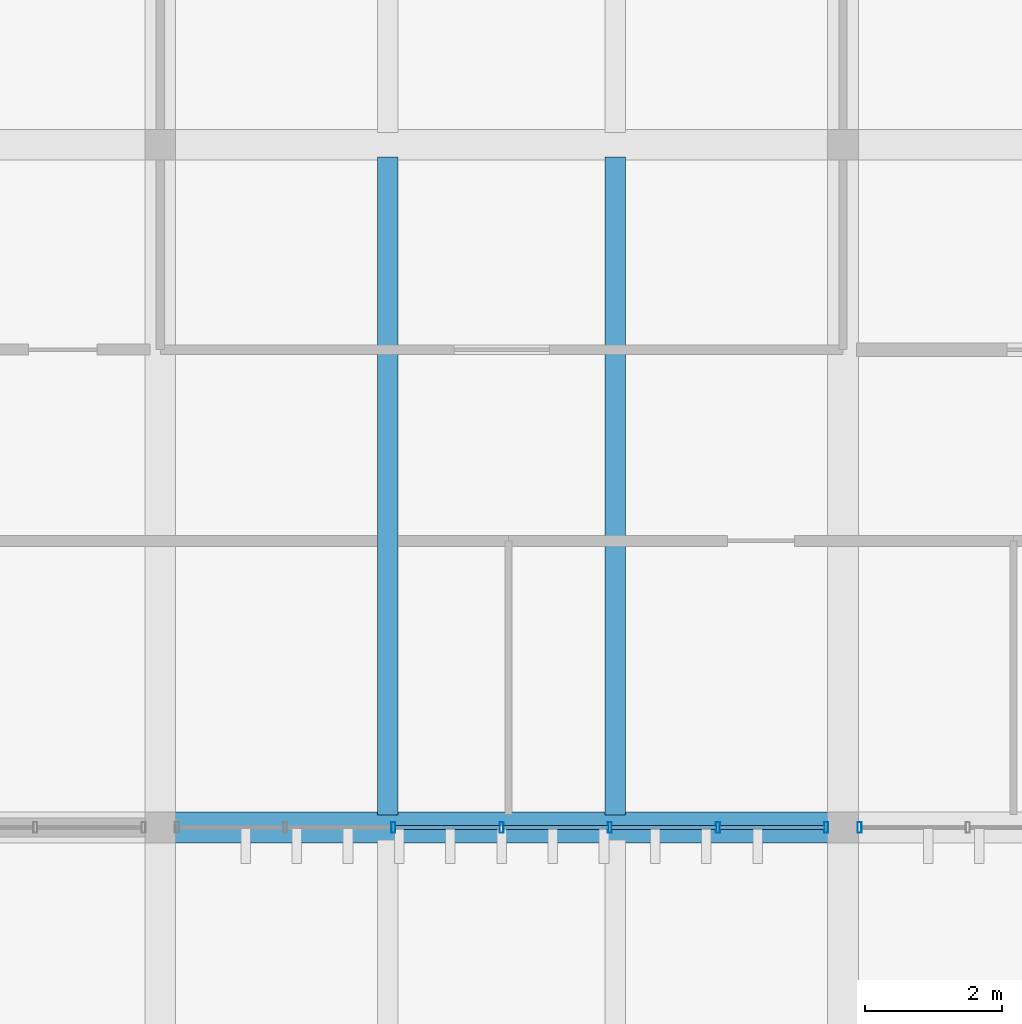
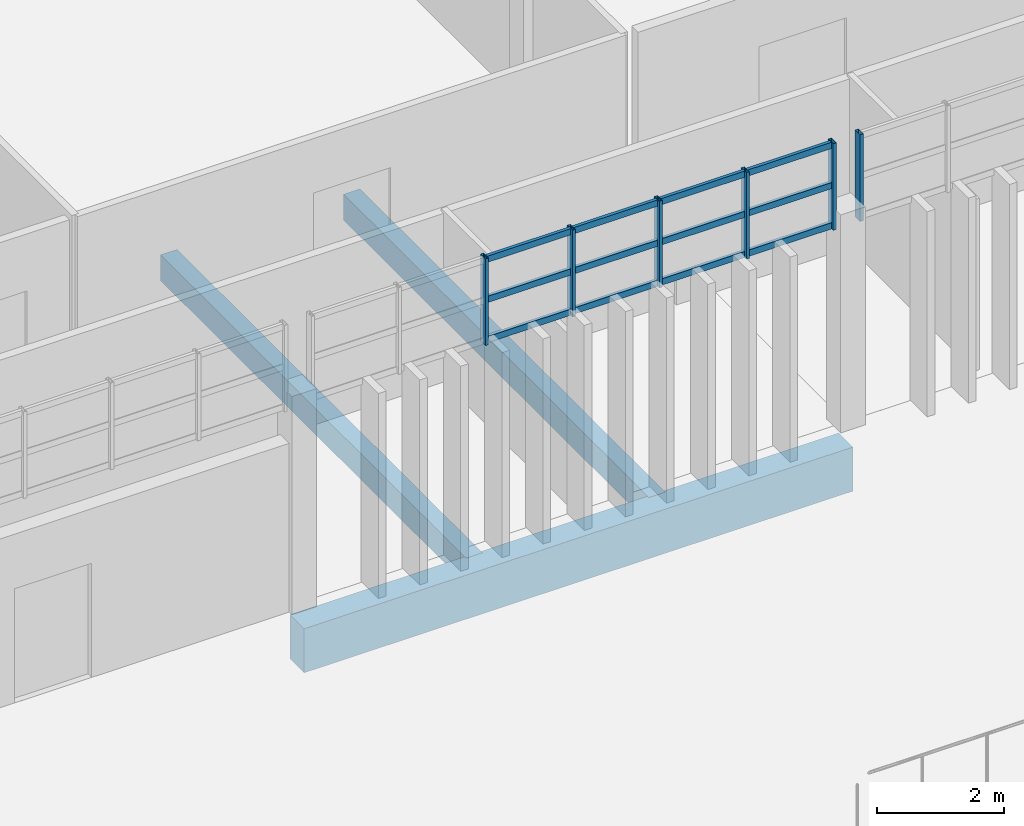
# One storey, part 19 of 36: 18 members, 3 beams, 2 elements without a shape of their own.
"""IFC4 building model written with IfcOpenShell, lengths in metres."""

import ifcopenshell
import ifcopenshell.guid

model = None  # the IFC model being written
_history = None  # IfcOwnerHistory: only IFC2X3 demands one
_inside = {}  # id of a spatial element -> (the spatial element, [elements in it])
_under = {}  # id of a project, library or spatial element -> (it, [spatial elements below it])
_declared = {}  # id of a project -> (the project, [libraries it declares])
_typed = {}  # id of a type object -> (the type object, [elements of that type])
_made_of = {}  # id of a material, layer set ... -> (it, [elements and type objects made of it])


def new_model(schema):
    """Start an empty IFC model of exactly this schema.

    Asked for "IFC4X3", IfcOpenShell would pick the latest addendum, in which some entities
    have other attributes; the version numbers below select the first issue.
    IFC2X3 requires an IfcOwnerHistory on every rooted entity: one is made here for all.
    """
    global model, _history
    if schema == "IFC4X3":
        model = ifcopenshell.file(schema_version=(4, 3, 0, 0))
    else:
        model = ifcopenshell.file(schema=schema)
    _inside.clear()
    _under.clear()
    _declared.clear()
    _typed.clear()
    _made_of.clear()
    _history = None
    if model.schema == "IFC2X3":
        org = make("IfcOrganization", Name="unknown")
        user = make(
            "IfcPersonAndOrganization",
            ThePerson=make("IfcPerson", FamilyName="unknown"),
            TheOrganization=org,
        )
        app = make(
            "IfcApplication",
            ApplicationDeveloper=org,
            Version="unknown",
            ApplicationFullName="unknown",
            ApplicationIdentifier="unknown",
        )
        _history = make(
            "IfcOwnerHistory",
            OwningUser=user,
            OwningApplication=app,
            ChangeAction="ADDED",
            CreationDate=0,
        )
    return model


def make(cls, **values):
    """One entity of the class cls with the attributes given. An attribute that is None is left unset."""
    return model.create_entity(
        cls, **{name: value for name, value in values.items() if value is not None}
    )


def rooted(cls, **values):
    """An entity with a GlobalId (a new one), such as an element, a storey or a relation."""
    return make(cls, GlobalId=ifcopenshell.guid.new(), OwnerHistory=_history, **values)


def si_unit(unit_type, name, prefix=None):
    """IfcSIUnit, for example si_unit("LENGTHUNIT", "METRE", prefix="MILLI")."""
    return make("IfcSIUnit", UnitType=unit_type, Prefix=prefix, Name=name)


def assignment(units):
    """IfcUnitAssignment: the units of a project."""
    return None if units is None else make("IfcUnitAssignment", Units=units)


def point(xyz):
    """IfcCartesianPoint."""
    return None if xyz is None else make("IfcCartesianPoint", Coordinates=xyz)


def direction(xyz):
    """IfcDirection."""
    return None if xyz is None else make("IfcDirection", DirectionRatios=xyz)


def frame(location, z_axis=None, x_axis=None):
    """IfcAxis2Placement3D, a coordinate frame: its origin and axes. An axis left out is left unset."""
    return make(
        "IfcAxis2Placement3D",
        Location=point(location),
        Axis=direction(z_axis),
        RefDirection=direction(x_axis),
    )


def frame_2d(location, x_axis=None):
    """IfcAxis2Placement2D, a coordinate frame in the plane: its origin and x axis."""
    return make(
        "IfcAxis2Placement2D", Location=point(location), RefDirection=direction(x_axis)
    )


def origin():
    """The frame at (0, 0, 0) with its axes left unset."""
    return frame((0.0, 0.0, 0.0))


def origin_2d():
    """The frame at (0, 0) in the plane with its x axis left unset."""
    return frame_2d((0.0, 0.0))


def place(relative_to, where):
    """IfcLocalPlacement: puts the frame where relative to a parent placement (None: the world)."""
    return make(
        "IfcLocalPlacement", PlacementRelTo=relative_to, RelativePlacement=where
    )


def context(
    kind, dimensions, precision=None, world=None, true_north=None, identifier=None
):
    """IfcGeometricRepresentationContext, for example the 3D "Model" context."""
    return make(
        "IfcGeometricRepresentationContext",
        ContextIdentifier=identifier,
        ContextType=kind,
        CoordinateSpaceDimension=dimensions,
        Precision=precision,
        WorldCoordinateSystem=world,
        TrueNorth=true_north,
    )


def subcontext(parent, identifier, kind, view, scale=None):
    """IfcGeometricRepresentationSubContext, for example "Body" below "Model"."""
    return make(
        "IfcGeometricRepresentationSubContext",
        ContextIdentifier=identifier,
        ContextType=kind,
        ParentContext=parent,
        TargetScale=scale,
        TargetView=view,
    )


def project(units=None, contexts=None):
    """IfcProject with its units and contexts."""
    return rooted(
        "IfcProject",
        Name="project",
        RepresentationContexts=contexts,
        UnitsInContext=assignment(units),
    )


def spatial(cls, under=None, at=None, **own):
    """A site, building, storey or space (cls), placed at a placement, below another one or the project."""
    s = rooted(cls, ObjectPlacement=at, **own)
    if under is not None:
        _under.setdefault(under.id(), (under, []))[1].append(s)
    return s


def profile(cls, at=None, kind="AREA", **sizes):
    """A parametric profile (cls). Its sizes go by their IFC names, for example OverallWidth=200.0."""
    return make(cls, ProfileType=kind, Position=at, **sizes)


def rectangle(**sizes):
    """IfcRectangleProfileDef."""
    return profile("IfcRectangleProfileDef", **sizes)


def hollow_rectangle(**sizes):
    """IfcRectangleHollowProfileDef."""
    return profile("IfcRectangleHollowProfileDef", **sizes)


def extrude(swept, where, along, depth):
    """IfcExtrudedAreaSolid: the profile swept, set in the frame where, extruded along a direction by depth."""
    return make(
        "IfcExtrudedAreaSolid",
        SweptArea=swept,
        Position=where,
        ExtrudedDirection=direction(along),
        Depth=depth,
    )


def shape(context_of_items, identifier, shape_type, items):
    """IfcShapeRepresentation: the items that make up one representation, for example the "Body"."""
    return make(
        "IfcShapeRepresentation",
        ContextOfItems=context_of_items,
        RepresentationIdentifier=identifier,
        RepresentationType=shape_type,
        Items=items,
    )


def material(Name=None, Category=None):
    """IfcMaterial."""
    return make("IfcMaterial", Name=Name, Category=Category)


def layer(
    of_material, thickness, ventilated=None, Name=None, Category=None, Priority=None
):
    """IfcMaterialLayer: one layer of a wall or slab, of a material (None: an air gap)."""
    return make(
        "IfcMaterialLayer",
        Material=of_material,
        LayerThickness=thickness,
        IsVentilated=ventilated,
        Name=Name,
        Category=Category,
        Priority=Priority,
    )


def layer_set(layers, Name=None):
    """IfcMaterialLayerSet."""
    return make("IfcMaterialLayerSet", MaterialLayers=layers, LayerSetName=Name)


def material_profile(
    of_material, cross_section, Name=None, Category=None, Priority=None
):
    """IfcMaterialProfile: a cross section and its material."""
    return make(
        "IfcMaterialProfile",
        Name=Name,
        Material=of_material,
        Profile=cross_section,
        Priority=Priority,
        Category=Category,
    )


def profile_set(profiles, Name=None, composite=None):
    """IfcMaterialProfileSet."""
    return make(
        "IfcMaterialProfileSet",
        Name=Name,
        MaterialProfiles=profiles,
        CompositeProfile=composite,
    )


def made_of(thing, what):
    """Note that an element or type object is made of a material, layer set ...; save() writes the relation."""
    if what is not None:
        _made_of.setdefault(what.id(), (what, []))[1].append(thing)
    return thing


def type_object(cls, material=None, **own):
    """A type object (cls), such as IfcWallType, which elements share."""
    return made_of(rooted(cls, **own), material)


def element(
    cls,
    number,
    at=None,
    inside=None,
    cuts=None,
    type_object=None,
    material=None,
    context=None,
    identifier="Body",
    shape_type=None,
    held_by="IfcProductDefinitionShape",
    body=None,
    shapes=None,
    **own,
):
    """One element of the class cls, such as IfcWall. Its Tag is "e" and its number.

    at: its placement. inside: the storey or other place that contains it. cuts: it is an
    opening in that element (IfcRelVoidsElement). A single representation is given by context,
    identifier, shape_type and body (its items); several are given by shapes. held_by: the class
    of the entity that holds the representations. save() writes the other relations.
    """
    e = rooted(cls, Tag="e%d" % number, ObjectPlacement=at, **own)
    if body is not None:
        shapes = [shape(context, identifier, shape_type, body)]
    if shapes is not None:
        e.Representation = make(held_by, Representations=shapes)
    if inside is not None:
        _inside.setdefault(inside.id(), (inside, []))[1].append(e)
    if cuts is not None:
        rooted(
            "IfcRelVoidsElement", RelatingBuildingElement=cuts, RelatedOpeningElement=e
        )
    if type_object is not None:
        _typed.setdefault(type_object.id(), (type_object, []))[1].append(e)
    return made_of(e, material)


def aggregate(whole, parts):
    """IfcRelAggregates: a whole, such as a stair, and the parts it consists of."""
    return rooted("IfcRelAggregates", RelatingObject=whole, RelatedObjects=parts)


def save(model, path):
    """Write the relations noted so far, then the file.

    IfcRelAggregates (storeys below a building ...), IfcRelContainedInSpatialStructure (elements
    in a storey), IfcRelDefinesByType, IfcRelAssociatesMaterial and IfcRelDeclares: one each for
    every whole, place, type object, material and project.
    """
    for whole, parts in _under.values():
        aggregate(whole, parts)
    for where, things in _inside.values():
        rooted(
            "IfcRelContainedInSpatialStructure",
            RelatedElements=things,
            RelatingStructure=where,
        )
    for kind, things in _typed.values():
        rooted("IfcRelDefinesByType", RelatedObjects=things, RelatingType=kind)
    for what, things in _made_of.values():
        rooted("IfcRelAssociatesMaterial", RelatedObjects=things, RelatingMaterial=what)
    for by, libraries in _declared.values():
        rooted("IfcRelDeclares", RelatingContext=by, RelatedDefinitions=libraries)
    model.write(path)


model = new_model("IFC4")

# Units and contexts
model_context = context("Model", 3, precision=1e-05, world=origin(), true_north=direction((0.0, 1.0)))
body_context = subcontext(model_context, "Body", "Model", "MODEL_VIEW")
ifc_project = project(units=[si_unit("LENGTHUNIT", "METRE"), si_unit("AREAUNIT", "SQUARE_METRE"), si_unit("VOLUMEUNIT", "CUBIC_METRE"), si_unit("PLANEANGLEUNIT", "RADIAN"), si_unit("MASSUNIT", "GRAM", prefix="KILO")], contexts=[model_context])

# Site, building, storey
site_placement = place(None, origin())
site = spatial("IfcSite", under=ifc_project, at=site_placement, CompositionType="ELEMENT")
building_placement = place(site_placement, origin())
building = spatial("IfcBuilding", under=site, at=building_placement, Name="Mersad Railyard Sports Hall", CompositionType="ELEMENT")
storey_placement = place(building_placement, frame((0.0, 0.0, 21.60009765625)))
storey = spatial("IfcBuildingStorey", under=building, at=storey_placement, Name="L05", CompositionType="ELEMENT", Elevation=21.60009765625)

# Curtain wall, members
ifc_material_1 = material(Name="Aluminium 6063-T6", Category="aluminium")
ifc_layer = layer(ifc_material_1, 0.159912109375)
ifc_layer_set = layer_set([ifc_layer], Name="Aluminium 6063-T6")
curtain_wall_type = type_object("IfcCurtainWallType", Name="ARC-CW-CW50", PredefinedType="USERDEFINED", material=ifc_layer_set)
curtain_wall_1_placement = place(storey_placement, origin())
curtain_wall_1 = element("IfcCurtainWall", 1, at=curtain_wall_1_placement, inside=storey, type_object=curtain_wall_type, Name="Curtain wall CW50-0134", ObjectType="CURTAIN WALL", PredefinedType="USERDEFINED")
ifc_material_profile_1 = material_profile(ifc_material_1, hollow_rectangle(XDim=0.06005859375, YDim=0.159912109375, WallThickness=0.00390625, at=origin_2d()), Name="AL MULLION 60x160x4")
ifc_profile_set_1 = profile_set([ifc_material_profile_1], Name="Aluminium 6063-T6")
member_type_1 = type_object("IfcMemberType", Name="ARC-CW-MUL01", PredefinedType="MULLION", material=ifc_profile_set_1)
member_1_placement = place(storey_placement, frame((110.7548828125, 95.0, 3.829833984375), z_axis=(0.0, 0.0, 1.0), x_axis=(1.0, 0.0, 0.0)))
member_1 = element("IfcMember", 2, at=member_1_placement, type_object=member_type_1, Name="CW50 Mullion 1", PredefinedType="MULLION", context=body_context, shape_type="SweptSolid", body=[
    extrude(hollow_rectangle(XDim=0.06005859375, YDim=0.159912109375, WallThickness=0.00390625, at=origin_2d()), origin(), (0.0, 0.0, 1.0), 1.670166015625),
])
member_2_placement = place(storey_placement, frame((109.169921875, 95.0, 3.829833984375), z_axis=(0.0, 0.0, 1.0), x_axis=(1.0, 0.0, 0.0)))
member_2 = element("IfcMember", 3, at=member_2_placement, type_object=member_type_1, Name="CW50 Mullion 2", PredefinedType="MULLION", context=body_context, shape_type="SweptSolid", body=[
    extrude(hollow_rectangle(XDim=0.06005859375, YDim=0.159912109375, WallThickness=0.00390625, at=origin_2d()), origin(), (0.0, 0.0, 1.0), 1.670166015625),
])
member_3_placement = place(storey_placement, frame((107.5849609375, 95.0, 3.829833984375), z_axis=(0.0, 0.0, 1.0), x_axis=(1.0, 0.0, 0.0)))
member_3 = element("IfcMember", 4, at=member_3_placement, type_object=member_type_1, Name="CW50 Mullion 3", PredefinedType="MULLION", context=body_context, shape_type="SweptSolid", body=[
    extrude(hollow_rectangle(XDim=0.06005859375, YDim=0.159912109375, WallThickness=0.00390625, at=origin_2d()), origin(), (0.0, 0.0, 1.0), 1.670166015625),
])
member_4_placement = place(storey_placement, frame((106.0, 95.0, 3.829833984375), z_axis=(0.0, 0.0, 1.0), x_axis=(1.0, 0.0, 0.0)))
member_4 = element("IfcMember", 5, at=member_4_placement, type_object=member_type_1, Name="CW50 Mullion 4", PredefinedType="MULLION", context=body_context, shape_type="SweptSolid", body=[
    extrude(hollow_rectangle(XDim=0.06005859375, YDim=0.159912109375, WallThickness=0.00390625, at=origin_2d()), origin(), (0.0, 0.0, 1.0), 1.670166015625),
])
member_5_placement = place(storey_placement, frame((104.4150390625, 95.0, 3.829833984375), z_axis=(0.0, 0.0, 1.0), x_axis=(1.0, 0.0, 0.0)))
member_5 = element("IfcMember", 6, at=member_5_placement, type_object=member_type_1, Name="CW50 Mullion 5", PredefinedType="MULLION", context=body_context, shape_type="SweptSolid", body=[
    extrude(hollow_rectangle(XDim=0.06005859375, YDim=0.159912109375, WallThickness=0.00390625, at=origin_2d()), origin(), (0.0, 0.0, 1.0), 1.670166015625),
])

# Curtain wall, member
curtain_wall_2_placement = place(storey_placement, origin())
curtain_wall_2 = element("IfcCurtainWall", 7, at=curtain_wall_2_placement, inside=storey, type_object=curtain_wall_type, Name="Curtain wall CW50-0136", ObjectType="CURTAIN WALL", PredefinedType="USERDEFINED")
member_6_placement = place(storey_placement, frame((111.2451171875, 95.0, 3.829833984375), z_axis=(0.0, 0.0, 1.0), x_axis=(1.0, 0.0, 0.0)))
member_6 = element("IfcMember", 8, at=member_6_placement, type_object=member_type_1, Name="CW50 Mullion 7", PredefinedType="MULLION", context=body_context, shape_type="SweptSolid", body=[
    extrude(hollow_rectangle(XDim=0.06005859375, YDim=0.159912109375, WallThickness=0.00390625, at=origin_2d()), origin(), (0.0, 0.0, 1.0), 1.670166015625),
])
aggregate(curtain_wall_2, [member_6])

# Member
ifc_material_profile_2 = material_profile(ifc_material_1, hollow_rectangle(XDim=0.06005859375, YDim=0.1201171875, WallThickness=0.00390625, at=origin_2d()), Name="AL TRANSOM 60x120x4")
ifc_profile_set_2 = profile_set([ifc_material_profile_2], Name="Aluminium 6063-T6")
member_type_2 = type_object("IfcMemberType", Name="ARC-CW-TRN01", PredefinedType="USERDEFINED", material=ifc_profile_set_2)
member_7_placement = place(storey_placement, frame((110.735107421875, 95.0, 3.889892578125), z_axis=(-1.0, 0.0, 0.0), x_axis=(0.0, -1.0, 0.0)))
member_7 = element("IfcMember", 9, at=member_7_placement, type_object=member_type_2, Name="CW50 Transom 1-1", ObjectType="TRANSOM", PredefinedType="USERDEFINED", context=body_context, shape_type="SweptSolid", body=[
    extrude(hollow_rectangle(XDim=0.06005859375, YDim=0.1201171875, WallThickness=0.00390625, at=origin_2d()), origin(), (0.0, 0.0, 1.0), 1.545166015625),
])

member_8_placement = place(storey_placement, frame((109.14990234375, 95.0, 3.889892578125), z_axis=(-1.0, 0.0, 0.0), x_axis=(0.0, -1.0, 0.0)))
member_8 = element("IfcMember", 10, at=member_8_placement, type_object=member_type_2, Name="CW50 Transom 1-2", ObjectType="TRANSOM", PredefinedType="USERDEFINED", context=body_context, shape_type="SweptSolid", body=[
    extrude(hollow_rectangle(XDim=0.06005859375, YDim=0.1201171875, WallThickness=0.00390625, at=origin_2d()), origin(), (0.0, 0.0, 1.0), 1.544921875),
])

member_9_placement = place(storey_placement, frame((107.56494140625, 95.0, 3.889892578125), z_axis=(-1.0, 0.0, 0.0), x_axis=(0.0, -1.0, 0.0)))
member_9 = element("IfcMember", 11, at=member_9_placement, type_object=member_type_2, Name="CW50 Transom 1-3", ObjectType="TRANSOM", PredefinedType="USERDEFINED", context=body_context, shape_type="SweptSolid", body=[
    extrude(hollow_rectangle(XDim=0.06005859375, YDim=0.1201171875, WallThickness=0.00390625, at=origin_2d()), origin(), (0.0, 0.0, 1.0), 1.544921875),
])

member_10_placement = place(storey_placement, frame((105.97998046875, 95.0, 3.889892578125), z_axis=(-1.0, 0.0, 0.0), x_axis=(0.0, -1.0, 0.0)))
member_10 = element("IfcMember", 12, at=member_10_placement, type_object=member_type_2, Name="CW50 Transom 1-4", ObjectType="TRANSOM", PredefinedType="USERDEFINED", context=body_context, shape_type="SweptSolid", body=[
    extrude(hollow_rectangle(XDim=0.06005859375, YDim=0.1201171875, WallThickness=0.00390625, at=origin_2d()), origin(), (0.0, 0.0, 1.0), 1.544921875),
])

member_11_placement = place(storey_placement, frame((110.735107421875, 95.0, 4.664794921875), z_axis=(-1.0, 0.0, 0.0), x_axis=(0.0, -1.0, 0.0)))
member_11 = element("IfcMember", 13, at=member_11_placement, type_object=member_type_2, Name="CW50 Transom 2-1", ObjectType="TRANSOM", PredefinedType="USERDEFINED", context=body_context, shape_type="SweptSolid", body=[
    extrude(hollow_rectangle(XDim=0.06005859375, YDim=0.1201171875, WallThickness=0.00390625, at=origin_2d()), origin(), (0.0, 0.0, 1.0), 1.545166015625),
])

member_12_placement = place(storey_placement, frame((109.14990234375, 95.0, 4.664794921875), z_axis=(-1.0, 0.0, 0.0), x_axis=(0.0, -1.0, 0.0)))
member_12 = element("IfcMember", 14, at=member_12_placement, type_object=member_type_2, Name="CW50 Transom 2-2", ObjectType="TRANSOM", PredefinedType="USERDEFINED", context=body_context, shape_type="SweptSolid", body=[
    extrude(hollow_rectangle(XDim=0.06005859375, YDim=0.1201171875, WallThickness=0.00390625, at=origin_2d()), origin(), (0.0, 0.0, 1.0), 1.544921875),
])

member_13_placement = place(storey_placement, frame((107.56494140625, 95.0, 4.664794921875), z_axis=(-1.0, 0.0, 0.0), x_axis=(0.0, -1.0, 0.0)))
member_13 = element("IfcMember", 15, at=member_13_placement, type_object=member_type_2, Name="CW50 Transom 2-3", ObjectType="TRANSOM", PredefinedType="USERDEFINED", context=body_context, shape_type="SweptSolid", body=[
    extrude(hollow_rectangle(XDim=0.06005859375, YDim=0.1201171875, WallThickness=0.00390625, at=origin_2d()), origin(), (0.0, 0.0, 1.0), 1.544921875),
])

member_14_placement = place(storey_placement, frame((105.97998046875, 95.0, 4.664794921875), z_axis=(-1.0, 0.0, 0.0), x_axis=(0.0, -1.0, 0.0)))
member_14 = element("IfcMember", 16, at=member_14_placement, type_object=member_type_2, Name="CW50 Transom 2-4", ObjectType="TRANSOM", PredefinedType="USERDEFINED", context=body_context, shape_type="SweptSolid", body=[
    extrude(hollow_rectangle(XDim=0.06005859375, YDim=0.1201171875, WallThickness=0.00390625, at=origin_2d()), origin(), (0.0, 0.0, 1.0), 1.544921875),
])

member_15_placement = place(storey_placement, frame((110.735107421875, 95.0, 5.43994140625), z_axis=(-1.0, 0.0, 0.0), x_axis=(0.0, -1.0, 0.0)))
member_15 = element("IfcMember", 17, at=member_15_placement, type_object=member_type_2, Name="CW50 Transom 3-1", ObjectType="TRANSOM", PredefinedType="USERDEFINED", context=body_context, shape_type="SweptSolid", body=[
    extrude(hollow_rectangle(XDim=0.06005859375, YDim=0.1201171875, WallThickness=0.00390625, at=origin_2d()), origin(), (0.0, 0.0, 1.0), 1.545166015625),
])

member_16_placement = place(storey_placement, frame((109.14990234375, 95.0, 5.43994140625), z_axis=(-1.0, 0.0, 0.0), x_axis=(0.0, -1.0, 0.0)))
member_16 = element("IfcMember", 18, at=member_16_placement, type_object=member_type_2, Name="CW50 Transom 3-2", ObjectType="TRANSOM", PredefinedType="USERDEFINED", context=body_context, shape_type="SweptSolid", body=[
    extrude(hollow_rectangle(XDim=0.06005859375, YDim=0.1201171875, WallThickness=0.00390625, at=origin_2d()), origin(), (0.0, 0.0, 1.0), 1.544921875),
])

member_17_placement = place(storey_placement, frame((107.56494140625, 95.0, 5.43994140625), z_axis=(-1.0, 0.0, 0.0), x_axis=(0.0, -1.0, 0.0)))
member_17 = element("IfcMember", 19, at=member_17_placement, type_object=member_type_2, Name="CW50 Transom 3-3", ObjectType="TRANSOM", PredefinedType="USERDEFINED", context=body_context, shape_type="SweptSolid", body=[
    extrude(hollow_rectangle(XDim=0.06005859375, YDim=0.1201171875, WallThickness=0.00390625, at=origin_2d()), origin(), (0.0, 0.0, 1.0), 1.544921875),
])

member_18_placement = place(storey_placement, frame((105.97998046875, 95.0, 5.43994140625), z_axis=(-1.0, 0.0, 0.0), x_axis=(0.0, -1.0, 0.0)))
member_18 = element("IfcMember", 20, at=member_18_placement, type_object=member_type_2, Name="CW50 Transom 3-4", ObjectType="TRANSOM", PredefinedType="USERDEFINED", context=body_context, shape_type="SweptSolid", body=[
    extrude(hollow_rectangle(XDim=0.06005859375, YDim=0.1201171875, WallThickness=0.00390625, at=origin_2d()), origin(), (0.0, 0.0, 1.0), 1.544921875),
])

aggregate(curtain_wall_1, [member_1, member_2, member_3, member_4, member_5, member_7, member_8, member_9, member_10, member_11, member_12, member_13, member_14, member_15, member_16, member_17, member_18])

# Beams
ifc_material_2 = material(Name="Concrete C40/50", Category="concrete")
ifc_material_profile_3 = material_profile(ifc_material_2, rectangle(XDim=0.449951171875, YDim=0.85009765625, at=origin_2d()), Name="RC 450x850")
ifc_profile_set_3 = profile_set([ifc_material_profile_3], Name="Concrete C40/50")
beam_type_1 = type_object("IfcBeamType", Name="STR-BM-B02", PredefinedType="BEAM", material=ifc_profile_set_3)
beam_placement = place(storey_placement, frame((101.0, 95.0, -0.775146484375), z_axis=(1.0, 0.0, 0.0), x_axis=(0.0, 1.0, 0.0)))
element("IfcBeam", 21, at=beam_placement, inside=storey, type_object=beam_type_1, Name="Beam B02-1413", PredefinedType="BEAM", context=body_context, shape_type="SweptSolid", body=[
    extrude(rectangle(XDim=0.449951171875, YDim=0.85009765625, at=origin_2d()), origin(), (0.0, 0.0, 1.0), 10.0),
])
ifc_material_profile_4 = material_profile(ifc_material_2, rectangle(XDim=0.300048828125, YDim=0.5, at=origin_2d()), Name="RC 300x500")
ifc_profile_set_4 = profile_set([ifc_material_profile_4], Name="Concrete C40/50")
beam_type_2 = type_object("IfcBeamType", Name="STR-BM-LN01", PredefinedType="LINTEL", material=ifc_profile_set_4)
for number, where, z_axis, x_axis, name in (
    (22, (104.3330078125, 95.179931640625, -0.60009765625), (0.0, 1.0, 0.0), (-1.0, 0.0, 0.0), "Beam LN01-1471"),
    (23, (107.6669921875, 95.179931640625, -0.60009765625), (0.0, 1.0, 0.0), (-1.0, 0.0, 0.0), "Beam LN01-1472"),
):
    element("IfcBeam", number, at=place(storey_placement, frame(where, z_axis=z_axis, x_axis=x_axis)), inside=storey, type_object=beam_type_2, Name=name, PredefinedType="LINTEL", context=body_context, shape_type="SweptSolid", body=[
        extrude(rectangle(XDim=0.300048828125, YDim=0.5, at=origin_2d()), origin(), (0.0, 0.0, 1.0), 9.64013671875),
    ])

save(model, "model.ifc")
